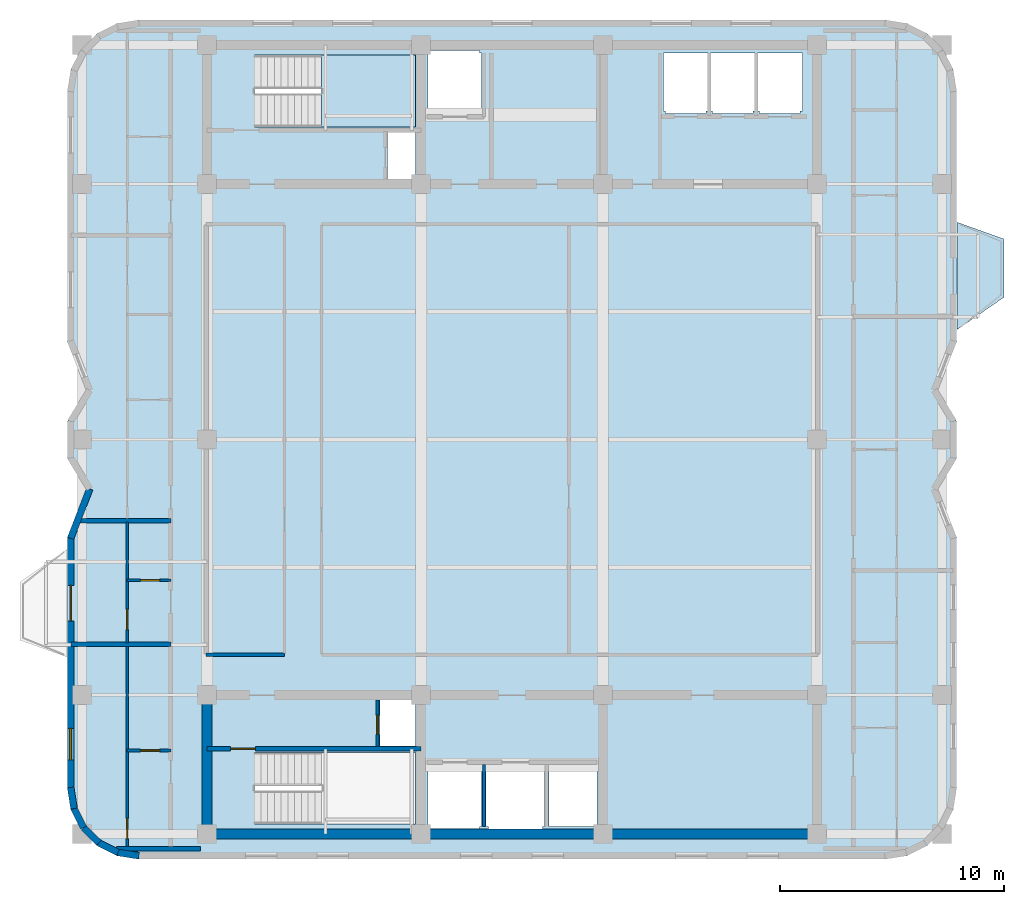
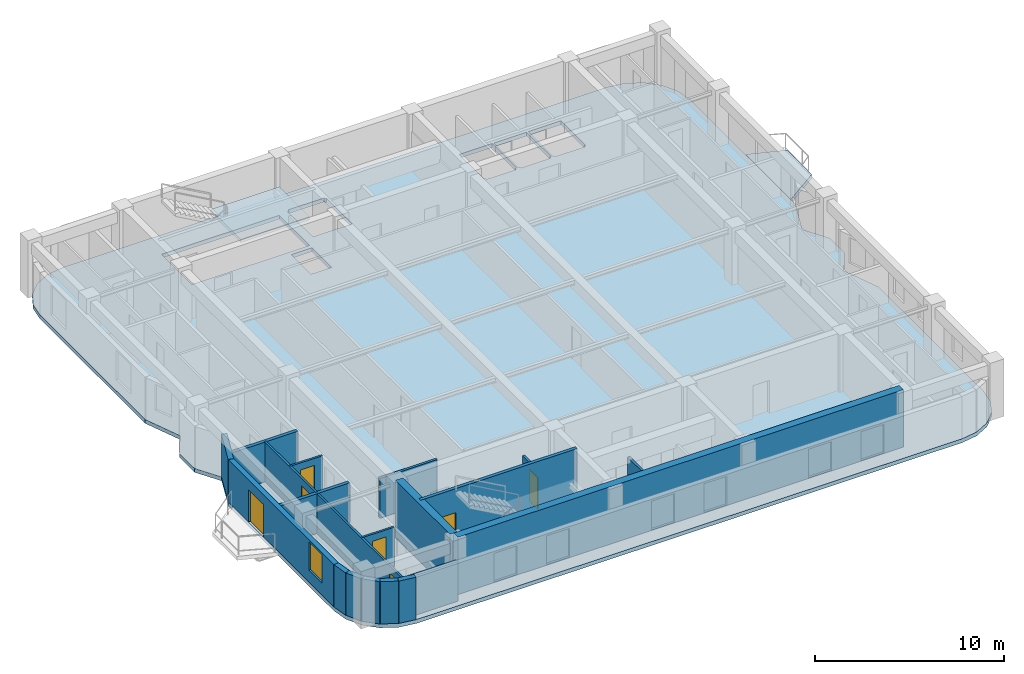
# One storey, part 2 of 8: 20 walls, 7 doors, 3 slabs, 1 window, 8 openings, 1 element without a shape of its own.
"""IFC4 building model written with IfcOpenShell, lengths in metres."""

from ifc_helpers import new_model, si_unit, direction, frame, frame_2d, origin, place, context, subcontext, project, spatial, polyline, rectangle, outline, extrude, material, layer, layer_set, type_object, element, fill, aggregate, save


model = new_model("IFC4")

# Units and contexts
model_context = context("Model", 3, precision=1e-05, world=origin(), true_north=direction((0.0, 1.0)))
body_context = subcontext(model_context, "Body", "Model", "MODEL_VIEW")
ifc_project = project(units=[si_unit("LENGTHUNIT", "METRE"), si_unit("AREAUNIT", "SQUARE_METRE"), si_unit("VOLUMEUNIT", "CUBIC_METRE"), si_unit("PLANEANGLEUNIT", "RADIAN"), si_unit("MASSUNIT", "GRAM", prefix="KILO")], contexts=[model_context])

# Site, building, storey
site_placement = place(None, origin())
site = spatial("IfcSite", under=ifc_project, at=site_placement, CompositionType="ELEMENT")
building_placement = place(site_placement, origin())
building = spatial("IfcBuilding", under=site, at=building_placement, Name="Svetorya Sky Lyceum", CompositionType="ELEMENT")
storey_placement = place(building_placement, frame((0.0, 0.0, 229.5)))
storey = spatial("IfcBuildingStorey", under=building, at=storey_placement, Name="L57", CompositionType="ELEMENT", Elevation=229.5)

# Slab
ifc_material_1 = material(Name="Concrete C40/50", Category="concrete")
ifc_layer_1 = layer(ifc_material_1, 0.25)
ifc_layer_set_1 = layer_set([ifc_layer_1], Name="Concrete C40/50")
slab_type_1 = type_object("IfcSlabType", Name="SL-BAL-250", PredefinedType="FLOOR", material=ifc_layer_set_1)
slab_1_placement = place(storey_placement, frame((0.0, 0.0, -0.25)))
element("IfcSlab", 1, at=slab_1_placement, inside=storey, type_object=slab_type_1, Name="L57 Chamfered Loggia Balcony BAL-E1", PredefinedType="FLOOR", context=body_context, shape_type="SweptSolid", body=[
    extrude(outline(polyline([(59.050048828125, 33.10009765625), (61.14990234375, 34.550048828125), (61.14990234375, 37.14990234375), (59.050048828125, 37.89990234375), (59.050048828125, 33.10009765625)])), origin(), (0.0, 0.0, 1.0), 0.25),
])

# Stair, slab
stair_type = type_object("IfcStairType", Name="STR-ST-N", PredefinedType="HALF_TURN_STAIR", material=ifc_material_1)
stair_placement = place(storey_placement, origin())
stair = element("IfcStair", 2, at=stair_placement, inside=storey, type_object=stair_type, Name="L57 North Core Smoke-Free Exit Stair N3", PredefinedType="HALF_TURN_STAIR")
ifc_layer_2 = layer(ifc_material_1, 0.199951171875)
ifc_layer_set_2 = layer_set([ifc_layer_2], Name="Concrete C40/50")
slab_type_2 = type_object("IfcSlabType", Name="SL-STR-LAND-200", PredefinedType="LANDING", material=ifc_layer_set_2)
slab_2_placement = place(storey_placement, frame((0.0, 0.0, 1.64990234375)))
slab_2 = element("IfcSlab", 3, at=slab_2_placement, type_object=slab_type_2, Name="ST-N landing 1", PredefinedType="LANDING", context=body_context, shape_type="SweptSolid", body=[
    extrude(outline(polyline([(30.699951171875, 42.14990234375), (34.89990234375, 42.14990234375), (34.89990234375, 45.35009765625), (30.699951171875, 45.35009765625), (30.699951171875, 42.14990234375)])), origin(), (0.0, 0.0, 1.0), 0.2001953125),
])
aggregate(stair, [slab_2])

# Slab
ifc_layer_3 = layer(ifc_material_1, 0.25)
ifc_layer_set_3 = layer_set([ifc_layer_3], Name="Concrete C40/50")
slab_type_3 = type_object("IfcSlabType", Name="SL-TWR-250", PredefinedType="FLOOR", material=ifc_layer_set_3)
slab_3_placement = place(storey_placement, frame((0.0, 0.0, -0.25)))
element("IfcSlab", 4, at=slab_3_placement, inside=storey, type_object=slab_type_3, Name="L57 Structural Floor Slab", PredefinedType="FLOOR", context=body_context, shape_type="SweptSolid", body=[
    extrude(outline(polyline([(19.360107421875, 12.679931640625), (19.5166015625, 11.691162109375), (19.97119140625, 10.799072265625), (20.67919921875, 10.091064453125), (21.571044921875, 9.63671875), (22.56005859375, 9.47998046875), (55.840087890625, 9.47998046875), (56.828857421875, 9.63671875), (57.720947265625, 10.091064453125), (58.428955078125, 10.799072265625), (58.88330078125, 11.691162109375), (59.0400390625, 12.679931640625), (59.0400390625, 23.800048828125), (58.18994140625, 26.0), (59.0400390625, 27.39990234375), (59.0400390625, 29.0), (58.18994140625, 30.39990234375), (59.0400390625, 32.60009765625), (59.0400390625, 43.719970703125), (58.88330078125, 44.708984375), (58.428955078125, 45.600830078125), (57.720947265625, 46.308837890625), (56.828857421875, 46.763427734375), (55.840087890625, 46.919921875), (22.56005859375, 46.919921875), (21.571044921875, 46.763427734375), (20.67919921875, 46.308837890625), (19.97119140625, 45.600830078125), (19.5166015625, 44.708984375), (19.360107421875, 43.719970703125), (19.360107421875, 32.60009765625), (20.2099609375, 30.39990234375), (19.360107421875, 29.0), (19.360107421875, 27.39990234375), (20.2099609375, 26.0), (19.360107421875, 23.800048828125), (19.360107421875, 12.679931640625)]), holes=[polyline([(37.85009765625, 10.949951171875), (37.75, 10.949951171875), (37.75, 10.85009765625), (35.550048828125, 10.85009765625), (35.550048828125, 10.949951171875), (35.449951171875, 10.949951171875), (35.449951171875, 13.64990234375), (35.550048828125, 13.64990234375), (37.75, 13.64990234375), (37.85009765625, 13.64990234375), (37.85009765625, 10.949951171875)]), polyline([(38.14990234375, 10.800048828125), (38.14990234375, 10.949951171875), (38.050048828125, 10.949951171875), (38.050048828125, 13.64990234375), (38.14990234375, 13.64990234375), (38.14990234375, 13.699951171875), (40.550048828125, 13.699951171875), (40.550048828125, 13.64990234375), (40.64990234375, 13.64990234375), (40.64990234375, 10.949951171875), (40.550048828125, 10.949951171875), (40.550048828125, 10.800048828125), (38.14990234375, 10.800048828125)]), polyline([(27.719970703125, 11.050048828125), (27.719970703125, 14.25), (34.89990234375, 14.25), (34.89990234375, 11.050048828125), (27.719970703125, 11.050048828125)]), polyline([(33.300048828125, 14.52001953125), (33.300048828125, 16.580078125), (34.89990234375, 16.580078125), (34.89990234375, 14.52001953125), (33.300048828125, 14.52001953125)]), polyline([(33.64990234375, 39.820068359375), (33.64990234375, 41.89990234375), (34.89990234375, 41.89990234375), (34.89990234375, 39.820068359375), (33.64990234375, 39.820068359375)]), polyline([(27.719970703125, 42.14990234375), (27.719970703125, 45.35009765625), (34.89990234375, 45.35009765625), (34.89990234375, 42.14990234375), (27.719970703125, 42.14990234375)]), polyline([(37.75, 42.75), (35.550048828125, 42.75), (35.449951171875, 42.75), (35.449951171875, 45.449951171875), (35.550048828125, 45.449951171875), (35.550048828125, 45.550048828125), (37.75, 45.550048828125), (37.75, 45.449951171875), (37.85009765625, 45.449951171875), (37.85009765625, 42.75), (37.75, 42.75)]), polyline([(40.85009765625, 10.949951171875), (40.85009765625, 13.64990234375), (43.0, 13.64990234375), (43.0, 10.949951171875), (40.85009765625, 10.949951171875)]), polyline([(46.050048828125, 42.75), (46.050048828125, 42.85009765625), (45.949951171875, 42.85009765625), (45.949951171875, 45.449951171875), (46.050048828125, 45.449951171875), (47.85009765625, 45.449951171875), (47.949951171875, 45.449951171875), (47.949951171875, 42.85009765625), (47.85009765625, 42.85009765625), (47.85009765625, 42.75), (46.050048828125, 42.75)]), polyline([(50.050048828125, 42.85009765625), (49.949951171875, 42.85009765625), (49.949951171875, 42.75), (48.14990234375, 42.75), (48.14990234375, 42.85009765625), (48.050048828125, 42.85009765625), (48.050048828125, 45.449951171875), (48.14990234375, 45.449951171875), (49.949951171875, 45.449951171875), (50.050048828125, 45.449951171875), (50.050048828125, 42.85009765625)]), polyline([(52.14990234375, 42.85009765625), (52.050048828125, 42.85009765625), (52.050048828125, 42.75), (50.25, 42.75), (50.25, 42.85009765625), (50.14990234375, 42.85009765625), (50.14990234375, 45.449951171875), (50.25, 45.449951171875), (52.050048828125, 45.449951171875), (52.14990234375, 45.449951171875), (52.14990234375, 42.85009765625)])]), origin(), (0.0, 0.0, 1.0), 0.25),
])

# Walls
ifc_material_2 = material(Name="Concrete C50/60", Category="concrete")
ifc_layer_4 = layer(ifc_material_2, 0.449951171875)
ifc_layer_set_4 = layer_set([ifc_layer_4], Name="Concrete C50/60")
wall_type_1 = type_object("IfcWallType", Name="WL-CORE-450", PredefinedType="SHEAR", material=ifc_layer_set_4)
wall_1_placement = place(storey_placement, frame((52.800048828125, 10.60009765625, 0.0), z_axis=(0.0, 0.0, 1.0), x_axis=(-1.0, 0.0, 0.0)))
element("IfcWall", 5, at=wall_1_placement, inside=storey, type_object=wall_type_1, Name="L57 SC Outer Core Shear Wall", PredefinedType="SHEAR", context=body_context, shape_type="SweptSolid", body=[
    extrude(rectangle(XDim=27.199951171875, YDim=0.449951171875, at=frame_2d((13.60009765625, 0.0))), origin(), (0.0, 0.0, 1.0), 3.699951171875),
])
wall_2_placement = place(storey_placement, frame((25.60009765625, 10.824951171875, 0.0), z_axis=(0.0, 0.0, 1.0), x_axis=(0.0, 1.0, 0.0)))
element("IfcWall", 6, at=wall_2_placement, inside=storey, type_object=wall_type_1, Name="L57 SC West Core Shear Wall", PredefinedType="SHEAR", context=body_context, shape_type="SweptSolid", body=[
    extrude(rectangle(XDim=5.75, YDim=0.449951171875, at=frame_2d((2.875, 0.0))), origin(), (0.0, 0.0, 1.0), 3.699951171875),
])
ifc_material_3 = material(Name="Putilovo limestone rainscreen on autoclaved cellular masonry", Category="masonry")
ifc_layer_5 = layer(ifc_material_3, 0.300048828125)
ifc_layer_set_5 = layer_set([ifc_layer_5], Name="Putilovo limestone rainscreen on autoclaved cellular masonry")
wall_type_2 = type_object("IfcWallType", Name="WL-EXT-300", PredefinedType="SOLIDWALL", material=ifc_layer_set_5)
wall_3_placement = place(storey_placement, frame((19.510009765625, 12.679931640625, 0.0), z_axis=(0.0, 0.0, 1.0), x_axis=(0.156343617883, -0.987702725088, 0.0)))
element("IfcWall", 7, at=wall_3_placement, inside=storey, type_object=wall_type_2, Name="L57 Limestone Exterior Wall 1M", PredefinedType="SOLIDWALL", context=body_context, shape_type="SweptSolid", body=[
    extrude(rectangle(XDim=0.9541015625, YDim=0.300048828125, at=frame_2d((0.47705078125, 0.0))), origin(), (0.0, 0.0, 1.0), 2.72998046875),
])
for number, where, z_axis, x_axis, name in (
    (8, (19.6591796875, 11.737548828125, 0.0), (0.0, 0.0, 1.0), (0.454056065666, -0.890973113642, 0.0), "L57 Limestone Exterior Wall 2M"),
    (9, (20.092529296875, 10.88720703125, 0.0), (0.0, 0.0, 1.0), (0.707106781187, -0.707106781187, 0.0), "L57 Limestone Exterior Wall 3M"),
):
    element("IfcWall", number, at=place(storey_placement, frame(where, z_axis=z_axis, x_axis=x_axis)), inside=storey, type_object=wall_type_2, Name=name, PredefinedType="SOLIDWALL", context=body_context, shape_type="SweptSolid", body=[
        extrude(rectangle(XDim=0.954345703125, YDim=0.300048828125, at=frame_2d((0.47705078125, 0.0))), origin(), (0.0, 0.0, 1.0), 2.72998046875),
    ])
wall_4_placement = place(storey_placement, frame((20.767333984375, 10.21240234375, 0.0), z_axis=(0.0, 0.0, 1.0), x_axis=(0.891023873617, -0.45395644796, 0.0)))
element("IfcWall", 10, at=wall_4_placement, inside=storey, type_object=wall_type_2, Name="L57 Limestone Exterior Wall 4M", PredefinedType="SOLIDWALL", context=body_context, shape_type="SweptSolid", body=[
    extrude(rectangle(XDim=0.9541015625, YDim=0.300048828125, at=frame_2d((0.47705078125, 0.0))), origin(), (0.0, 0.0, 1.0), 2.72998046875),
])
wall_5_placement = place(storey_placement, frame((21.617431640625, 9.779296875, 0.0), z_axis=(0.0, 0.0, 1.0), x_axis=(0.987669453596, -0.156553666304, 0.0)))
element("IfcWall", 11, at=wall_5_placement, inside=storey, type_object=wall_type_2, Name="L57 Limestone Exterior Wall 5M", PredefinedType="SOLIDWALL", context=body_context, shape_type="SweptSolid", body=[
    extrude(rectangle(XDim=0.954345703125, YDim=0.300048828125, at=frame_2d((0.47705078125, 0.0))), origin(), (0.0, 0.0, 1.0), 2.72998046875),
])
wall_6_placement = place(storey_placement, frame((20.360107421875, 26.0, 0.0), z_axis=(0.0, 0.0, 1.0), x_axis=(-0.360442266984, -0.932781524351, 0.0)))
element("IfcWall", 12, at=wall_6_placement, inside=storey, type_object=wall_type_2, Name="L57 Limestone Exterior Wall 35M", PredefinedType="SOLIDWALL", context=body_context, shape_type="SweptSolid", body=[
    extrude(rectangle(XDim=2.3583984375, YDim=0.300048828125, at=frame_2d((1.17919921875, 0.0))), origin(), (0.0, 0.0, 1.0), 2.72998046875),
])

# Wall, openings, door, window
wall_7_placement = place(storey_placement, frame((19.510009765625, 23.800048828125, 0.0), z_axis=(0.0, 0.0, 1.0), x_axis=(0.0, -1.0, 0.0)))
wall_7 = element("IfcWall", 13, at=wall_7_placement, inside=storey, type_object=wall_type_2, Name="L57 Limestone Exterior Wall 36M", PredefinedType="SOLIDWALL", context=body_context, shape_type="SweptSolid", body=[
    extrude(rectangle(XDim=11.1201171875, YDim=0.300048828125, at=frame_2d((5.56005859375, 0.0))), origin(), (0.0, 0.0, 1.0), 2.72998046875),
])
opening_1_placement = place(wall_7_placement, frame((2.10009765625, 0.0, 0.0)))
opening_1 = element("IfcOpeningElement", 14, at=opening_1_placement, cuts=wall_7, Name="Opening D-BL1", PredefinedType="OPENING", context=body_context, shape_type="SweptSolid", body=[
    extrude(rectangle(XDim=1.60009765625, YDim=2.10009765625, at=frame_2d((0.800048828125, 1.050048828125))), frame((0.0, 0.159912109375, 0.0), z_axis=(0.0, -1.0, 0.0), x_axis=(1.0, 0.0, 0.0)), (0.0, 0.0, 1.0), 0.320068359375),
])
opening_2_placement = place(wall_7_placement, frame((8.4833984375, 0.0, 0.760009765625)))
opening_2 = element("IfcOpeningElement", 15, at=opening_2_placement, cuts=wall_7, Name="Opening W-R2", PredefinedType="OPENING", context=body_context, shape_type="SweptSolid", body=[
    extrude(rectangle(XDim=1.39990234375, YDim=1.85009765625, at=frame_2d((0.699951171875, 0.925048828125))), frame((0.0, 0.159912109375, 0.0), z_axis=(0.0, -1.0, 0.0), x_axis=(1.0, 0.0, 0.0)), (0.0, 0.0, 1.0), 0.320068359375),
])
ifc_material_4 = material(Name="Insulated glazed aluminium balcony door", Category="aluminium")
door_type_1 = type_object("IfcDoorType", Name="DR-BAL-1600", OperationType="DOUBLE_DOOR_SINGLE_SWING", PredefinedType="DOOR", material=ifc_material_4)
door_1_placement = place(opening_1_placement, origin())
door_1 = element("IfcDoor", 16, at=door_1_placement, inside=storey, type_object=door_type_1, Name="L57 Balcony BAL-W1 Door", OperationType="DOUBLE_DOOR_SINGLE_SWING", OverallHeight=2.10009765625, OverallWidth=1.60009765625, PredefinedType="DOOR", context=body_context, shape_type="SweptSolid", body=[
    extrude(rectangle(XDim=1.60009765625, YDim=2.10009765625, at=frame_2d((0.800048828125, 1.050048828125))), frame((0.0, 0.02490234375, 0.0), z_axis=(0.0, -1.0, 0.0), x_axis=(1.0, 0.0, 0.0)), (0.0, 0.0, 1.0), 0.050048828125),
])
fill(opening_1, door_1)
ifc_material_5 = material(Name="Thermally broken aluminium frame with triple low-E glazing", Category="aluminium")
window_type = type_object("IfcWindowType", Name="WN-RES-140", PartitioningType="SINGLE_PANEL", PredefinedType="WINDOW", material=ifc_material_5)
window_placement = place(opening_2_placement, origin())
window = element("IfcWindow", 17, at=window_placement, inside=storey, type_object=window_type, Name="L57 Facade Window W-R2.36M.1", OverallHeight=1.85009765625, OverallWidth=1.39990234375, PartitioningType="SINGLE_PANEL", PredefinedType="WINDOW", context=body_context, shape_type="SweptSolid", body=[
    extrude(rectangle(XDim=1.39990234375, YDim=1.85009765625, at=frame_2d((0.699951171875, 0.925048828125))), frame((0.0, 0.030029296875, 0.0), z_axis=(0.0, -1.0, 0.0), x_axis=(1.0, 0.0, 0.0)), (0.0, 0.0, 1.0), 0.06005859375),
])
fill(opening_2, window)

# Wall, opening, door
ifc_material_6 = material(Name="Twin-stud galvanized framing with double fireboard", Category="gypsum")
ifc_layer_6 = layer(ifc_material_6, 0.1201171875)
ifc_layer_set_6 = layer_set([ifc_layer_6], Name="Twin-stud galvanized framing with double fireboard")
wall_type_3 = type_object("IfcWallType", Name="WL-PART-120", PredefinedType="PARTITIONING", material=ifc_layer_set_6)
wall_8_placement = place(storey_placement, frame((22.030029296875, 14.330078125, 0.0), z_axis=(0.0, 0.0, 1.0), x_axis=(1.0, 0.0, 0.0)))
wall_8 = element("IfcWall", 18, at=wall_8_placement, inside=storey, type_object=wall_type_3, Name="L57 Interior Partition W1-WH1", PredefinedType="PARTITIONING", context=body_context, shape_type="SweptSolid", body=[
    extrude(rectangle(XDim=1.949951171875, YDim=0.1201171875, at=frame_2d((0.97509765625, 0.0))), origin(), (0.0, 0.0, 1.0), 2.56005859375),
])
opening_3_placement = place(wall_8_placement, frame((0.60009765625, 0.0, 0.0)))
opening_3 = element("IfcOpeningElement", 19, at=opening_3_placement, cuts=wall_8, Name="Opening D-BT1", PredefinedType="OPENING", context=body_context, shape_type="SweptSolid", body=[
    extrude(rectangle(XDim=0.85009765625, YDim=2.10009765625, at=frame_2d((0.425048828125, 1.050048828125))), frame((0.0, 0.070068359375, 0.0), z_axis=(0.0, -1.0, 0.0), x_axis=(1.0, 0.0, 0.0)), (0.0, 0.0, 1.0), 0.14013671875),
])
ifc_material_7 = material(Name="Moisture-resistant laminate bathroom door")
door_type_2 = type_object("IfcDoorType", Name="DR-WET-850", OperationType="SINGLE_SWING_LEFT", PredefinedType="DOOR", material=ifc_material_7)
door_2_placement = place(opening_3_placement, origin())
door_2 = element("IfcDoor", 20, at=door_2_placement, inside=storey, type_object=door_type_2, Name="Apartment W1 Bathroom Door", OperationType="SINGLE_SWING_LEFT", OverallHeight=2.10009765625, OverallWidth=0.85009765625, PredefinedType="DOOR", context=body_context, shape_type="SweptSolid", body=[
    extrude(rectangle(XDim=0.85009765625, YDim=2.10009765625, at=frame_2d((0.425048828125, 1.050048828125))), frame((0.0, 0.02490234375, 0.0), z_axis=(0.0, -1.0, 0.0), x_axis=(1.0, 0.0, 0.0)), (0.0, 0.0, 1.0), 0.050048828125),
])
fill(opening_3, door_2)

wall_9_placement = place(storey_placement, frame((22.030029296875, 9.989990234375, 0.0), z_axis=(0.0, 0.0, 1.0), x_axis=(0.0, 1.0, 0.0)))
wall_9 = element("IfcWall", 21, at=wall_9_placement, inside=storey, type_object=wall_type_3, Name="L57 Interior Partition W1-WV", PredefinedType="PARTITIONING", context=body_context, shape_type="SweptSolid", body=[
    extrude(rectangle(XDim=9.044921875, YDim=0.1201171875, at=frame_2d((4.5224609375, 0.0))), origin(), (0.0, 0.0, 1.0), 2.56005859375),
])
opening_4_placement = place(wall_9_placement, frame((0.409912109375, 0.0, 0.0)))
opening_4 = element("IfcOpeningElement", 22, at=opening_4_placement, cuts=wall_9, Name="Opening D-RM1", PredefinedType="OPENING", context=body_context, shape_type="SweptSolid", body=[
    extrude(rectangle(XDim=0.89990234375, YDim=2.10009765625, at=frame_2d((0.449951171875, 1.050048828125))), frame((0.0, 0.070068359375, 0.0), z_axis=(0.0, -1.0, 0.0), x_axis=(1.0, 0.0, 0.0)), (0.0, 0.0, 1.0), 0.14013671875),
])
ifc_material_8 = material(Name="Lacquered birch veneer internal door")
door_type_3 = type_object("IfcDoorType", Name="DR-INT-900", OperationType="SINGLE_SWING_LEFT", PredefinedType="DOOR", material=ifc_material_8)
door_3_placement = place(opening_4_placement, origin())
door_3 = element("IfcDoor", 23, at=door_3_placement, inside=storey, type_object=door_type_3, Name="Apartment W1 Living Door", OperationType="SINGLE_SWING_RIGHT", OverallHeight=2.10009765625, OverallWidth=0.89990234375, PredefinedType="DOOR", context=body_context, shape_type="SweptSolid", body=[
    extrude(rectangle(XDim=0.89990234375, YDim=2.10009765625, at=frame_2d((0.449951171875, 1.050048828125))), frame((0.0, 0.02490234375, 0.0), z_axis=(0.0, -1.0, 0.0), x_axis=(1.0, 0.0, 0.0)), (0.0, 0.0, 1.0), 0.050048828125),
])
fill(opening_4, door_3)

wall_10_placement = place(storey_placement, frame((22.030029296875, 21.925048828125, 0.0), z_axis=(0.0, 0.0, 1.0), x_axis=(1.0, 0.0, 0.0)))
wall_10 = element("IfcWall", 24, at=wall_10_placement, inside=storey, type_object=wall_type_3, Name="L57 Interior Partition W2-WH1", PredefinedType="PARTITIONING", context=body_context, shape_type="SweptSolid", body=[
    extrude(rectangle(XDim=1.949951171875, YDim=0.1201171875, at=frame_2d((0.97509765625, 0.0))), origin(), (0.0, 0.0, 1.0), 2.56005859375),
])
opening_5_placement = place(wall_10_placement, frame((0.60009765625, 0.0, 0.0)))
opening_5 = element("IfcOpeningElement", 25, at=opening_5_placement, cuts=wall_10, Name="Opening D-BT1", PredefinedType="OPENING", context=body_context, shape_type="SweptSolid", body=[
    extrude(rectangle(XDim=0.85009765625, YDim=2.10009765625, at=frame_2d((0.425048828125, 1.050048828125))), frame((0.0, 0.070068359375, 0.0), z_axis=(0.0, -1.0, 0.0), x_axis=(1.0, 0.0, 0.0)), (0.0, 0.0, 1.0), 0.14013671875),
])
door_4_placement = place(opening_5_placement, origin())
door_4 = element("IfcDoor", 26, at=door_4_placement, inside=storey, type_object=door_type_2, Name="Apartment W2 Bathroom Door", OperationType="SINGLE_SWING_RIGHT", OverallHeight=2.10009765625, OverallWidth=0.85009765625, PredefinedType="DOOR", context=body_context, shape_type="SweptSolid", body=[
    extrude(rectangle(XDim=0.85009765625, YDim=2.10009765625, at=frame_2d((0.425048828125, 1.050048828125))), frame((0.0, 0.02490234375, 0.0), z_axis=(0.0, -1.0, 0.0), x_axis=(1.0, 0.0, 0.0)), (0.0, 0.0, 1.0), 0.050048828125),
])
fill(opening_5, door_4)

wall_11_placement = place(storey_placement, frame((22.030029296875, 19.114990234375, 0.0), z_axis=(0.0, 0.0, 1.0), x_axis=(0.0, 1.0, 0.0)))
wall_11 = element("IfcWall", 27, at=wall_11_placement, inside=storey, type_object=wall_type_3, Name="L57 Interior Partition W2-WV", PredefinedType="PARTITIONING", context=body_context, shape_type="SweptSolid", body=[
    extrude(rectangle(XDim=5.419921875, YDim=0.1201171875, at=frame_2d((2.7099609375, 0.0))), origin(), (0.0, 0.0, 1.0), 2.56005859375),
])
opening_6_placement = place(wall_11_placement, frame((0.610107421875, 0.0, 0.0)))
opening_6 = element("IfcOpeningElement", 28, at=opening_6_placement, cuts=wall_11, Name="Opening D-RM1", PredefinedType="OPENING", context=body_context, shape_type="SweptSolid", body=[
    extrude(rectangle(XDim=0.89990234375, YDim=2.10009765625, at=frame_2d((0.449951171875, 1.050048828125))), frame((0.0, 0.070068359375, 0.0), z_axis=(0.0, -1.0, 0.0), x_axis=(1.0, 0.0, 0.0)), (0.0, 0.0, 1.0), 0.14013671875),
])
door_5_placement = place(opening_6_placement, origin())
door_5 = element("IfcDoor", 29, at=door_5_placement, inside=storey, type_object=door_type_3, Name="Apartment W2 Living Door", OperationType="SINGLE_SWING_LEFT", OverallHeight=2.10009765625, OverallWidth=0.89990234375, PredefinedType="DOOR", context=body_context, shape_type="SweptSolid", body=[
    extrude(rectangle(XDim=0.89990234375, YDim=2.10009765625, at=frame_2d((0.449951171875, 1.050048828125))), frame((0.0, 0.02490234375, 0.0), z_axis=(0.0, -1.0, 0.0), x_axis=(1.0, 0.0, 0.0)), (0.0, 0.0, 1.0), 0.050048828125),
])
fill(opening_6, door_5)

ifc_material_9 = material(Name="Autoclaved cellular masonry blockwork with acoustic render", Category="masonry")
ifc_layer_7 = layer(ifc_material_9, 0.14990234375)
ifc_layer_set_7 = layer_set([ifc_layer_7], Name="Autoclaved cellular masonry blockwork with acoustic render")
wall_type_4 = type_object("IfcWallType", Name="WL-PART-150", PredefinedType="PARTITIONING", material=ifc_layer_set_7)
wall_12_placement = place(storey_placement, frame((33.199951171875, 14.5, 0.0), z_axis=(0.0, 0.0, 1.0), x_axis=(0.0, 1.0, 0.0)))
wall_12 = element("IfcWall", 30, at=wall_12_placement, inside=storey, type_object=wall_type_4, Name="L57 Interior Partition SC-AIRDIV", PredefinedType="PARTITIONING", context=body_context, shape_type="SweptSolid", body=[
    extrude(rectangle(XDim=2.080078125, YDim=0.14990234375, at=frame_2d((1.0400390625, 0.0))), origin(), (0.0, 0.0, 1.0), 2.56005859375),
])
opening_7_placement = place(wall_12_placement, frame((0.550048828125, 0.0, 0.0)))
opening_7 = element("IfcOpeningElement", 31, at=opening_7_placement, cuts=wall_12, Name="Opening D-SH1", PredefinedType="OPENING", context=body_context, shape_type="SweptSolid", body=[
    extrude(rectangle(XDim=0.85009765625, YDim=2.050048828125, at=frame_2d((0.425048828125, 1.02490234375))), frame((0.0, 0.0849609375, 0.0), z_axis=(0.0, -1.0, 0.0), x_axis=(1.0, 0.0, 0.0)), (0.0, 0.0, 1.0), 0.169921875),
])
ifc_material_10 = material(Name="Insulated galvanized riser inspection fire door")
door_type_4 = type_object("IfcDoorType", Name="DR-SHFT-850", OperationType="SINGLE_SWING_LEFT", PredefinedType="TRAPDOOR", material=ifc_material_10)
door_6_placement = place(opening_7_placement, origin())
door_6 = element("IfcDoor", 32, at=door_6_placement, inside=storey, type_object=door_type_4, Name="L57 South Riser Access Door", OperationType="SINGLE_SWING_RIGHT", OverallHeight=2.050048828125, OverallWidth=0.85009765625, PredefinedType="TRAPDOOR", context=body_context, shape_type="SweptSolid", body=[
    extrude(rectangle(XDim=0.85009765625, YDim=2.050048828125, at=frame_2d((0.425048828125, 1.02490234375))), frame((0.0, 0.02490234375, 0.0), z_axis=(0.0, -1.0, 0.0), x_axis=(1.0, 0.0, 0.0)), (0.0, 0.0, 1.0), 0.050048828125),
])
fill(opening_7, door_6)

# Walls
wall_13_placement = place(storey_placement, frame((37.949951171875, 10.949951171875, 0.0), z_axis=(0.0, 0.0, 1.0), x_axis=(0.0, 1.0, 0.0)))
element("IfcWall", 33, at=wall_13_placement, inside=storey, type_object=wall_type_4, Name="L57 Interior Partition SC-SHD1", PredefinedType="PARTITIONING", context=body_context, shape_type="SweptSolid", body=[
    extrude(rectangle(XDim=2.75, YDim=0.14990234375, at=frame_2d((1.375, 0.0))), origin(), (0.0, 0.0, 1.0), 2.56005859375),
])
wall_14_placement = place(storey_placement, frame((25.550048828125, 18.60009765625, 0.0), z_axis=(0.0, 0.0, 1.0), x_axis=(1.0, 0.0, 0.0)))
element("IfcWall", 34, at=wall_14_placement, inside=storey, type_object=wall_type_4, Name="L57 Interior Partition OFF-CS-W", PredefinedType="PARTITIONING", context=body_context, shape_type="SweptSolid", body=[
    extrude(rectangle(XDim=3.5, YDim=0.14990234375, at=frame_2d((1.75, 0.0))), origin(), (0.0, 0.0, 1.0), 2.56005859375),
])
ifc_material_11 = material(Name="Autoclaved cellular masonry blockwork with gypsum plaster", Category="masonry")
ifc_layer_8 = layer(ifc_material_11, 0.199951171875)
ifc_layer_set_8 = layer_set([ifc_layer_8], Name="Autoclaved cellular masonry blockwork with gypsum plaster")
wall_type_5 = type_object("IfcWallType", Name="WL-PART-200", PredefinedType="PARTITIONING", material=ifc_layer_set_8)
wall_15_placement = place(storey_placement, frame((19.530029296875, 19.074951171875, 0.0), z_axis=(0.0, 0.0, 1.0), x_axis=(1.0, 0.0, 0.0)))
element("IfcWall", 35, at=wall_15_placement, inside=storey, type_object=wall_type_5, Name="L57 Interior Partition W-PARTY-1", PredefinedType="PARTITIONING", context=body_context, shape_type="SweptSolid", body=[
    extrude(rectangle(XDim=4.449951171875, YDim=0.199951171875, at=frame_2d((2.22509765625, 0.0))), origin(), (0.0, 0.0, 1.0), 2.56005859375),
])
wall_16_placement = place(storey_placement, frame((19.829345703125, 24.574951171875, 0.0), z_axis=(0.0, 0.0, 1.0), x_axis=(1.0, 0.0, 0.0)))
element("IfcWall", 36, at=wall_16_placement, inside=storey, type_object=wall_type_5, Name="L57 Interior Partition W-PARTY-2", PredefinedType="PARTITIONING", context=body_context, shape_type="SweptSolid", body=[
    extrude(rectangle(XDim=4.150634765625, YDim=0.199951171875, at=frame_2d((2.0751953125, 0.0))), origin(), (0.0, 0.0, 1.0), 2.56005859375),
])
wall_17_placement = place(storey_placement, frame((21.5458984375, 9.949951171875, 0.0), z_axis=(0.0, 0.0, 1.0), x_axis=(1.0, 0.0, 0.0)))
element("IfcWall", 37, at=wall_17_placement, inside=storey, type_object=wall_type_5, Name="L57 Interior Partition W-CAP-S", PredefinedType="PARTITIONING", context=body_context, shape_type="SweptSolid", body=[
    extrude(rectangle(XDim=3.754150390625, YDim=0.199951171875, at=frame_2d((1.876953125, 0.0))), origin(), (0.0, 0.0, 1.0), 2.56005859375),
])

# Wall, opening, door
ifc_layer_9 = layer(ifc_material_2, 0.199951171875)
ifc_layer_set_9 = layer_set([ifc_layer_9], Name="Concrete C50/60")
wall_type_6 = type_object("IfcWallType", Name="WL-SHW-200", PredefinedType="SHEAR", material=ifc_layer_set_9)
wall_18_placement = place(storey_placement, frame((25.60009765625, 14.39990234375, 0.0), z_axis=(0.0, 0.0, 1.0), x_axis=(1.0, 0.0, 0.0)))
wall_18 = element("IfcWall", 38, at=wall_18_placement, inside=storey, type_object=wall_type_6, Name="L57 Structural Stair Shaft Wall SC-STW", PredefinedType="SHEAR", context=body_context, shape_type="SweptSolid", body=[
    extrude(rectangle(XDim=9.5498046875, YDim=0.199951171875, at=frame_2d((4.77490234375, 0.0))), origin(), (0.0, 0.0, 1.0), 3.699951171875),
])
opening_8_placement = place(wall_18_placement, frame((1.050048828125, 0.0, 0.0)))
opening_8 = element("IfcOpeningElement", 39, at=opening_8_placement, cuts=wall_18, Name="Opening D-ST1", PredefinedType="OPENING", context=body_context, shape_type="SweptSolid", body=[
    extrude(rectangle(XDim=1.10009765625, YDim=2.14990234375, at=frame_2d((0.550048828125, 1.074951171875))), frame((0.0, 0.10986328125, 0.0), z_axis=(0.0, -1.0, 0.0), x_axis=(1.0, 0.0, 0.0)), (0.0, 0.0, 1.0), 0.219970703125),
])
ifc_material_12 = material(Name="Powder-coated insulated galvanized stair fire door")
door_type_5 = type_object("IfcDoorType", Name="DR-FIRE-1100", OperationType="SINGLE_SWING_LEFT", PredefinedType="DOOR", material=ifc_material_12)
door_7_placement = place(opening_8_placement, origin())
door_7 = element("IfcDoor", 40, at=door_7_placement, inside=storey, type_object=door_type_5, Name="L57 Stair ST-S Vestibule Fire Door", OperationType="SINGLE_SWING_LEFT", OverallHeight=2.14990234375, OverallWidth=1.10009765625, PredefinedType="DOOR", context=body_context, shape_type="SweptSolid", body=[
    extrude(rectangle(XDim=1.10009765625, YDim=2.14990234375, at=frame_2d((0.550048828125, 1.074951171875))), frame((0.0, 0.02490234375, 0.0), z_axis=(0.0, -1.0, 0.0), x_axis=(1.0, 0.0, 0.0)), (0.0, 0.0, 1.0), 0.050048828125),
])
fill(opening_8, door_7)

save(model, "model.ifc")
